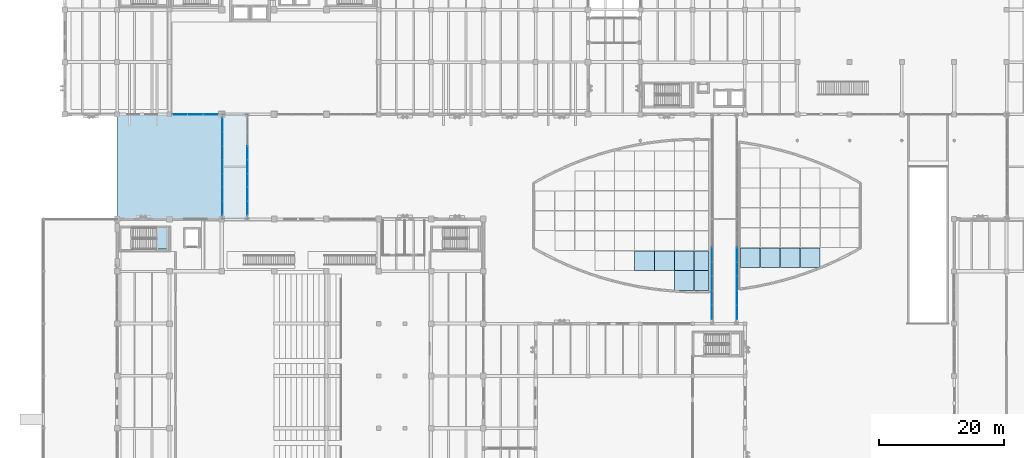
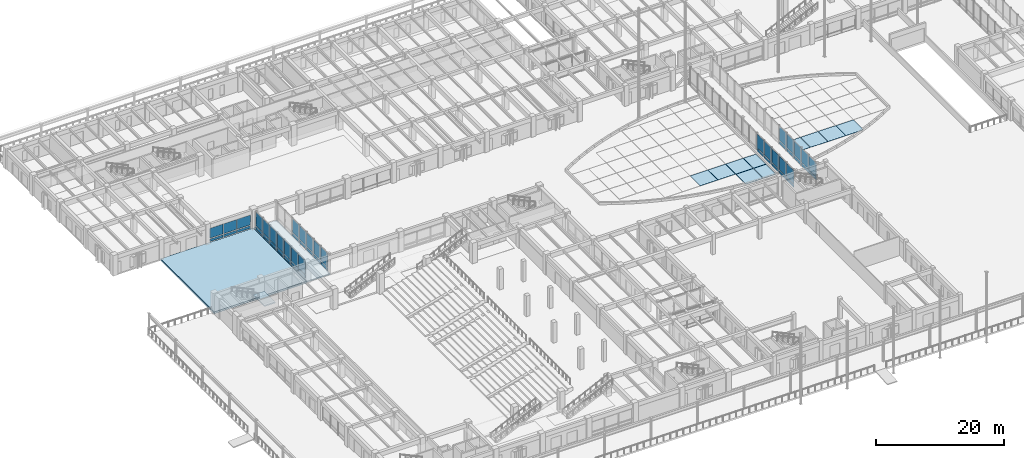
# One storey, part 66 of 135: 60 plates, 3 slabs, 6 elements without a shape of their own.
"""IFC4 building model written with IfcOpenShell, lengths in metres."""

from ifc_helpers import new_model, si_unit, direction, frame, origin, origin_2d, place, context, subcontext, project, spatial, polyline, rectangle, outline, extrude, material, layer, layer_set, type_object, element, aggregate, save


model = new_model("IFC4")

# Units and contexts
model_context = context("Model", 3, precision=1e-05, world=origin(), true_north=direction((0.0, 1.0)))
body_context = subcontext(model_context, "Body", "Model", "MODEL_VIEW")
ifc_project = project(units=[si_unit("LENGTHUNIT", "METRE"), si_unit("AREAUNIT", "SQUARE_METRE"), si_unit("VOLUMEUNIT", "CUBIC_METRE"), si_unit("PLANEANGLEUNIT", "RADIAN"), si_unit("MASSUNIT", "GRAM", prefix="KILO")], contexts=[model_context])

# Site, building, storey
site_placement = place(None, origin())
site = spatial("IfcSite", under=ifc_project, at=site_placement, CompositionType="ELEMENT")
building_placement = place(site_placement, origin())
building = spatial("IfcBuilding", under=site, at=building_placement, Name="Cumbredor Promenade Congress Hotel", CompositionType="ELEMENT")
storey_placement = place(building_placement, origin())
storey = spatial("IfcBuildingStorey", under=building, at=storey_placement, Name="L00", CompositionType="ELEMENT", Elevation=0.0)

# Stair, slab
ifc_material_1 = material(Name="Concrete C40/50", Category="concrete")
stair_type = type_object("IfcStairType", Name="Protected Dog-Leg Exit Stair ST-T3 1650mm", PredefinedType="HALF_TURN_STAIR", material=ifc_material_1)
stair_placement = place(storey_placement, origin())
stair = element("IfcStair", 1, at=stair_placement, inside=storey, type_object=stair_type, Name="L00 Protected Exit Stair ST-06", PredefinedType="HALF_TURN_STAIR")
ifc_layer_1 = layer(ifc_material_1, 0.199951171875, Name="Concrete C40/50", Category="concrete")
ifc_layer_set_1 = layer_set([ifc_layer_1], Name="Concrete C40/50")
slab_type_1 = type_object("IfcSlabType", Name="Concrete Stair Landing Slab 200mm", PredefinedType="LANDING", material=ifc_layer_set_1)
slab_1_placement = place(storey_placement, frame((0.0, 0.0, 1.760009765625)))
slab_1 = element("IfcSlab", 2, at=slab_1_placement, type_object=slab_type_1, Name="ST-06 landing 1", PredefinedType="LANDING", context=body_context, shape_type="SweptSolid", body=[
    extrude(outline(polyline([(14.64990234375, 62.35009765625), (16.64990234375, 62.35009765625), (16.64990234375, 65.800048828125), (14.64990234375, 65.800048828125), (14.64990234375, 62.35009765625)])), origin(), (0.0, 0.0, 1.0), 0.199951171875),
])
aggregate(stair, [slab_1])

# Curtain wall, plates
ifc_material_2 = material(Name="Thermally broken anodized aluminium and low-E glass", Category="aluminium")
curtain_wall_type_1 = type_object("IfcCurtainWallType", Name="Unitised Bridge Glazing Screen CW-05", PredefinedType="NOTDEFINED", material=ifc_material_2)
curtain_wall_1_placement = place(storey_placement, origin())
curtain_wall_1 = element("IfcCurtainWall", 3, at=curtain_wall_1_placement, inside=storey, type_object=curtain_wall_type_1, Name="L00 West Congress-to-Hotel Glazed Bridge West Glazing Screen", PredefinedType="NOTDEFINED")
ifc_material_3 = material(Name="Laminated low-E solar-control glass", Category="glass")
ifc_layer_2 = layer(ifc_material_3, 0.030029296875, Name="Laminated low-E solar-control glass", Category="glass")
ifc_layer_set_2 = layer_set([ifc_layer_2], Name="Laminated low-E solar-control glass")
plate_type_1 = type_object("IfcPlateType", Name="Glazed Bridge Panel PNL-04", PredefinedType="CURTAIN_PANEL", material=ifc_layer_set_2)
plate_1_placement = place(storey_placement, frame((25.280029296875, 68.9658203125, 0.78515625), z_axis=(0.0, 0.0, 1.0), x_axis=(0.0, 1.0, 0.0)))
plate_1 = element("IfcPlate", 4, at=plate_1_placement, type_object=plate_type_1, Name="L00 West Congress-to-Hotel Glazed Bridge West Glazing Screen Glazing Panel 1.2", PredefinedType="CURTAIN_PANEL", context=body_context, shape_type="SweptSolid", body=[
    extrude(rectangle(XDim=2.146484375, YDim=0.030029296875, at=origin_2d()), origin(), (0.0, 0.0, 1.0), 2.6298828125),
])
plate_2_placement = place(storey_placement, frame((25.280029296875, 71.177001953125, 0.78515625), z_axis=(0.0, 0.0, 1.0), x_axis=(0.0, 1.0, 0.0)))
plate_2 = element("IfcPlate", 5, at=plate_2_placement, type_object=plate_type_1, Name="L00 West Congress-to-Hotel Glazed Bridge West Glazing Screen Glazing Panel 2.2", PredefinedType="CURTAIN_PANEL", context=body_context, shape_type="SweptSolid", body=[
    extrude(rectangle(XDim=2.146484375, YDim=0.030029296875, at=origin_2d()), origin(), (0.0, 0.0, 1.0), 2.6298828125),
])
plate_3_placement = place(storey_placement, frame((25.280029296875, 73.388671875, 0.78515625), z_axis=(0.0, 0.0, 1.0), x_axis=(0.0, 1.0, 0.0)))
plate_3 = element("IfcPlate", 6, at=plate_3_placement, type_object=plate_type_1, Name="L00 West Congress-to-Hotel Glazed Bridge West Glazing Screen Glazing Panel 3.2", PredefinedType="CURTAIN_PANEL", context=body_context, shape_type="SweptSolid", body=[
    extrude(rectangle(XDim=2.146484375, YDim=0.030029296875, at=origin_2d()), origin(), (0.0, 0.0, 1.0), 2.6298828125),
])
plate_4_placement = place(storey_placement, frame((25.280029296875, 75.60009765625, 0.78515625), z_axis=(0.0, 0.0, 1.0), x_axis=(0.0, 1.0, 0.0)))
plate_4 = element("IfcPlate", 7, at=plate_4_placement, type_object=plate_type_1, Name="L00 West Congress-to-Hotel Glazed Bridge West Glazing Screen Glazing Panel 4.2", PredefinedType="CURTAIN_PANEL", context=body_context, shape_type="SweptSolid", body=[
    extrude(rectangle(XDim=2.146484375, YDim=0.030029296875, at=origin_2d()), origin(), (0.0, 0.0, 1.0), 2.6298828125),
])
plate_5_placement = place(storey_placement, frame((25.280029296875, 77.811279296875, 0.78515625), z_axis=(0.0, 0.0, 1.0), x_axis=(0.0, 1.0, 0.0)))
plate_5 = element("IfcPlate", 8, at=plate_5_placement, type_object=plate_type_1, Name="L00 West Congress-to-Hotel Glazed Bridge West Glazing Screen Glazing Panel 5.2", PredefinedType="CURTAIN_PANEL", context=body_context, shape_type="SweptSolid", body=[
    extrude(rectangle(XDim=2.146484375, YDim=0.030029296875, at=origin_2d()), origin(), (0.0, 0.0, 1.0), 2.6298828125),
])
plate_6_placement = place(storey_placement, frame((25.280029296875, 80.02294921875, 0.78515625), z_axis=(0.0, 0.0, 1.0), x_axis=(0.0, 1.0, 0.0)))
plate_6 = element("IfcPlate", 9, at=plate_6_placement, type_object=plate_type_1, Name="L00 West Congress-to-Hotel Glazed Bridge West Glazing Screen Glazing Panel 6.2", PredefinedType="CURTAIN_PANEL", context=body_context, shape_type="SweptSolid", body=[
    extrude(rectangle(XDim=2.146484375, YDim=0.030029296875, at=origin_2d()), origin(), (0.0, 0.0, 1.0), 2.6298828125),
])
plate_7_placement = place(storey_placement, frame((25.280029296875, 82.234375, 0.78515625), z_axis=(0.0, 0.0, 1.0), x_axis=(0.0, 1.0, 0.0)))
plate_7 = element("IfcPlate", 10, at=plate_7_placement, type_object=plate_type_1, Name="L00 West Congress-to-Hotel Glazed Bridge West Glazing Screen Glazing Panel 7.2", PredefinedType="CURTAIN_PANEL", context=body_context, shape_type="SweptSolid", body=[
    extrude(rectangle(XDim=2.146484375, YDim=0.030029296875, at=origin_2d()), origin(), (0.0, 0.0, 1.0), 2.6298828125),
])

curtain_wall_2_placement = place(storey_placement, origin())
curtain_wall_2 = element("IfcCurtainWall", 11, at=curtain_wall_2_placement, inside=storey, type_object=curtain_wall_type_1, Name="L00 West Congress-to-Hotel Glazed Bridge East Glazing Screen", PredefinedType="NOTDEFINED")
plate_8_placement = place(storey_placement, frame((29.320068359375, 68.9658203125, 0.78515625), z_axis=(0.0, 0.0, 1.0), x_axis=(0.0, 1.0, 0.0)))
plate_8 = element("IfcPlate", 12, at=plate_8_placement, type_object=plate_type_1, Name="L00 West Congress-to-Hotel Glazed Bridge East Glazing Screen Glazing Panel 1.2", PredefinedType="CURTAIN_PANEL", context=body_context, shape_type="SweptSolid", body=[
    extrude(rectangle(XDim=2.146484375, YDim=0.030029296875, at=origin_2d()), origin(), (0.0, 0.0, 1.0), 2.6298828125),
])
plate_9_placement = place(storey_placement, frame((29.320068359375, 71.177001953125, 0.78515625), z_axis=(0.0, 0.0, 1.0), x_axis=(0.0, 1.0, 0.0)))
plate_9 = element("IfcPlate", 13, at=plate_9_placement, type_object=plate_type_1, Name="L00 West Congress-to-Hotel Glazed Bridge East Glazing Screen Glazing Panel 2.2", PredefinedType="CURTAIN_PANEL", context=body_context, shape_type="SweptSolid", body=[
    extrude(rectangle(XDim=2.146484375, YDim=0.030029296875, at=origin_2d()), origin(), (0.0, 0.0, 1.0), 2.6298828125),
])
plate_10_placement = place(storey_placement, frame((29.320068359375, 73.388671875, 0.78515625), z_axis=(0.0, 0.0, 1.0), x_axis=(0.0, 1.0, 0.0)))
plate_10 = element("IfcPlate", 14, at=plate_10_placement, type_object=plate_type_1, Name="L00 West Congress-to-Hotel Glazed Bridge East Glazing Screen Glazing Panel 3.2", PredefinedType="CURTAIN_PANEL", context=body_context, shape_type="SweptSolid", body=[
    extrude(rectangle(XDim=2.146484375, YDim=0.030029296875, at=origin_2d()), origin(), (0.0, 0.0, 1.0), 2.6298828125),
])
plate_11_placement = place(storey_placement, frame((29.320068359375, 75.60009765625, 0.78515625), z_axis=(0.0, 0.0, 1.0), x_axis=(0.0, 1.0, 0.0)))
plate_11 = element("IfcPlate", 15, at=plate_11_placement, type_object=plate_type_1, Name="L00 West Congress-to-Hotel Glazed Bridge East Glazing Screen Glazing Panel 4.2", PredefinedType="CURTAIN_PANEL", context=body_context, shape_type="SweptSolid", body=[
    extrude(rectangle(XDim=2.146484375, YDim=0.030029296875, at=origin_2d()), origin(), (0.0, 0.0, 1.0), 2.6298828125),
])
plate_12_placement = place(storey_placement, frame((29.320068359375, 77.811279296875, 0.78515625), z_axis=(0.0, 0.0, 1.0), x_axis=(0.0, 1.0, 0.0)))
plate_12 = element("IfcPlate", 16, at=plate_12_placement, type_object=plate_type_1, Name="L00 West Congress-to-Hotel Glazed Bridge East Glazing Screen Glazing Panel 5.2", PredefinedType="CURTAIN_PANEL", context=body_context, shape_type="SweptSolid", body=[
    extrude(rectangle(XDim=2.146484375, YDim=0.030029296875, at=origin_2d()), origin(), (0.0, 0.0, 1.0), 2.6298828125),
])

curtain_wall_3_placement = place(storey_placement, origin())
curtain_wall_3 = element("IfcCurtainWall", 17, at=curtain_wall_3_placement, inside=storey, type_object=curtain_wall_type_1, Name="L00 Central Reflecting-Pool Promenade Bridge West Glazing Screen", PredefinedType="NOTDEFINED")
plate_13_placement = place(storey_placement, frame((103.8798828125, 52.212890625, 0.78515625), z_axis=(0.0, 0.0, 1.0), x_axis=(0.0, 1.0, 0.0)))
plate_13 = element("IfcPlate", 18, at=plate_13_placement, type_object=plate_type_1, Name="L00 Central Reflecting-Pool Promenade Bridge West Glazing Screen Glazing Panel 1.2", PredefinedType="CURTAIN_PANEL", context=body_context, shape_type="SweptSolid", body=[
    extrude(rectangle(XDim=2.24072265625, YDim=0.030029296875, at=origin_2d()), origin(), (0.0, 0.0, 1.0), 2.6298828125),
])
plate_14_placement = place(storey_placement, frame((103.8798828125, 54.5185546875, 0.78515625), z_axis=(0.0, 0.0, 1.0), x_axis=(0.0, 1.0, 0.0)))
plate_14 = element("IfcPlate", 19, at=plate_14_placement, type_object=plate_type_1, Name="L00 Central Reflecting-Pool Promenade Bridge West Glazing Screen Glazing Panel 2.2", PredefinedType="CURTAIN_PANEL", context=body_context, shape_type="SweptSolid", body=[
    extrude(rectangle(XDim=2.24072265625, YDim=0.030029296875, at=origin_2d()), origin(), (0.0, 0.0, 1.0), 2.6298828125),
])
plate_15_placement = place(storey_placement, frame((103.8798828125, 56.82421875, 0.78515625), z_axis=(0.0, 0.0, 1.0), x_axis=(0.0, 1.0, 0.0)))
plate_15 = element("IfcPlate", 20, at=plate_15_placement, type_object=plate_type_1, Name="L00 Central Reflecting-Pool Promenade Bridge West Glazing Screen Glazing Panel 3.2", PredefinedType="CURTAIN_PANEL", context=body_context, shape_type="SweptSolid", body=[
    extrude(rectangle(XDim=2.24072265625, YDim=0.030029296875, at=origin_2d()), origin(), (0.0, 0.0, 1.0), 2.6298828125),
])
plate_16_placement = place(storey_placement, frame((103.8798828125, 59.1298828125, 0.78515625), z_axis=(0.0, 0.0, 1.0), x_axis=(0.0, 1.0, 0.0)))
plate_16 = element("IfcPlate", 21, at=plate_16_placement, type_object=plate_type_1, Name="L00 Central Reflecting-Pool Promenade Bridge West Glazing Screen Glazing Panel 4.2", PredefinedType="CURTAIN_PANEL", context=body_context, shape_type="SweptSolid", body=[
    extrude(rectangle(XDim=2.24072265625, YDim=0.030029296875, at=origin_2d()), origin(), (0.0, 0.0, 1.0), 2.6298828125),
])
plate_17_placement = place(storey_placement, frame((103.8798828125, 61.435791015625, 0.78515625), z_axis=(0.0, 0.0, 1.0), x_axis=(0.0, 1.0, 0.0)))
plate_17 = element("IfcPlate", 22, at=plate_17_placement, type_object=plate_type_1, Name="L00 Central Reflecting-Pool Promenade Bridge West Glazing Screen Glazing Panel 5.2", PredefinedType="CURTAIN_PANEL", context=body_context, shape_type="SweptSolid", body=[
    extrude(rectangle(XDim=2.24072265625, YDim=0.030029296875, at=origin_2d()), origin(), (0.0, 0.0, 1.0), 2.6298828125),
])

curtain_wall_4_placement = place(storey_placement, origin())
curtain_wall_4 = element("IfcCurtainWall", 23, at=curtain_wall_4_placement, inside=storey, type_object=curtain_wall_type_1, Name="L00 Central Reflecting-Pool Promenade Bridge East Glazing Screen", PredefinedType="NOTDEFINED")
plate_18_placement = place(storey_placement, frame((107.919921875, 52.212890625, 0.78515625), z_axis=(0.0, 0.0, 1.0), x_axis=(0.0, 1.0, 0.0)))
plate_18 = element("IfcPlate", 24, at=plate_18_placement, type_object=plate_type_1, Name="L00 Central Reflecting-Pool Promenade Bridge East Glazing Screen Glazing Panel 1.2", PredefinedType="CURTAIN_PANEL", context=body_context, shape_type="SweptSolid", body=[
    extrude(rectangle(XDim=2.24072265625, YDim=0.030029296875, at=origin_2d()), origin(), (0.0, 0.0, 1.0), 2.6298828125),
])
plate_19_placement = place(storey_placement, frame((107.919921875, 54.5185546875, 0.78515625), z_axis=(0.0, 0.0, 1.0), x_axis=(0.0, 1.0, 0.0)))
plate_19 = element("IfcPlate", 25, at=plate_19_placement, type_object=plate_type_1, Name="L00 Central Reflecting-Pool Promenade Bridge East Glazing Screen Glazing Panel 2.2", PredefinedType="CURTAIN_PANEL", context=body_context, shape_type="SweptSolid", body=[
    extrude(rectangle(XDim=2.24072265625, YDim=0.030029296875, at=origin_2d()), origin(), (0.0, 0.0, 1.0), 2.6298828125),
])
plate_20_placement = place(storey_placement, frame((107.919921875, 56.82421875, 0.78515625), z_axis=(0.0, 0.0, 1.0), x_axis=(0.0, 1.0, 0.0)))
plate_20 = element("IfcPlate", 26, at=plate_20_placement, type_object=plate_type_1, Name="L00 Central Reflecting-Pool Promenade Bridge East Glazing Screen Glazing Panel 3.2", PredefinedType="CURTAIN_PANEL", context=body_context, shape_type="SweptSolid", body=[
    extrude(rectangle(XDim=2.24072265625, YDim=0.030029296875, at=origin_2d()), origin(), (0.0, 0.0, 1.0), 2.6298828125),
])
plate_21_placement = place(storey_placement, frame((107.919921875, 59.1298828125, 0.78515625), z_axis=(0.0, 0.0, 1.0), x_axis=(0.0, 1.0, 0.0)))
plate_21 = element("IfcPlate", 27, at=plate_21_placement, type_object=plate_type_1, Name="L00 Central Reflecting-Pool Promenade Bridge East Glazing Screen Glazing Panel 4.2", PredefinedType="CURTAIN_PANEL", context=body_context, shape_type="SweptSolid", body=[
    extrude(rectangle(XDim=2.24072265625, YDim=0.030029296875, at=origin_2d()), origin(), (0.0, 0.0, 1.0), 2.6298828125),
])
plate_22_placement = place(storey_placement, frame((107.919921875, 61.435791015625, 0.78515625), z_axis=(0.0, 0.0, 1.0), x_axis=(0.0, 1.0, 0.0)))
plate_22 = element("IfcPlate", 28, at=plate_22_placement, type_object=plate_type_1, Name="L00 Central Reflecting-Pool Promenade Bridge East Glazing Screen Glazing Panel 5.2", PredefinedType="CURTAIN_PANEL", context=body_context, shape_type="SweptSolid", body=[
    extrude(rectangle(XDim=2.24072265625, YDim=0.030029296875, at=origin_2d()), origin(), (0.0, 0.0, 1.0), 2.6298828125),
])

curtain_wall_type_2 = type_object("IfcCurtainWallType", Name="Unitised Grand Foyer Curtain Wall CW-04", PredefinedType="NOTDEFINED", material=ifc_material_2)
curtain_wall_5_placement = place(storey_placement, origin())
curtain_wall_5 = element("IfcCurtainWall", 29, at=curtain_wall_5_placement, inside=storey, type_object=curtain_wall_type_2, Name="L00 Stepped Congress Hotel Wing South Curtain Wall 3", PredefinedType="NOTDEFINED")
ifc_layer_3 = layer(ifc_material_3, 0.031982421875, Name="Laminated low-E solar-control glass", Category="glass")
ifc_layer_set_3 = layer_set([ifc_layer_3], Name="Laminated low-E solar-control glass")
plate_type_2 = type_object("IfcPlateType", Name="Glazed Vision Panel PNL-02", PredefinedType="CURTAIN_PANEL", material=ifc_layer_set_3)
plate_23_placement = place(storey_placement, frame((18.48681640625, 84.0, 0.795166015625), z_axis=(0.0, 0.0, 1.0), x_axis=(1.0, 0.0, 0.0)))
plate_23 = element("IfcPlate", 30, at=plate_23_placement, type_object=plate_type_2, Name="L00 Stepped Congress Hotel Wing South Curtain Wall 3 Glazing Panel 1.2", PredefinedType="CURTAIN_PANEL", context=body_context, shape_type="SweptSolid", body=[
    extrude(rectangle(XDim=2.38818359375, YDim=0.031982421875, at=origin_2d()), origin(), (0.0, 0.0, 1.0), 1.8798828125),
])
plate_24_placement = place(storey_placement, frame((20.949951171875, 84.0, 0.795166015625), z_axis=(0.0, 0.0, 1.0), x_axis=(1.0, 0.0, 0.0)))
plate_24 = element("IfcPlate", 31, at=plate_24_placement, type_object=plate_type_2, Name="L00 Stepped Congress Hotel Wing South Curtain Wall 3 Glazing Panel 2.2", PredefinedType="CURTAIN_PANEL", context=body_context, shape_type="SweptSolid", body=[
    extrude(rectangle(XDim=2.388427734375, YDim=0.031982421875, at=origin_2d()), origin(), (0.0, 0.0, 1.0), 1.8798828125),
])
plate_25_placement = place(storey_placement, frame((23.413330078125, 84.0, 0.795166015625), z_axis=(0.0, 0.0, 1.0), x_axis=(1.0, 0.0, 0.0)))
plate_25 = element("IfcPlate", 32, at=plate_25_placement, type_object=plate_type_2, Name="L00 Stepped Congress Hotel Wing South Curtain Wall 3 Glazing Panel 3.2", PredefinedType="CURTAIN_PANEL", context=body_context, shape_type="SweptSolid", body=[
    extrude(rectangle(XDim=2.38818359375, YDim=0.031982421875, at=origin_2d()), origin(), (0.0, 0.0, 1.0), 1.8798828125),
])
ifc_material_4 = material(Name="Thermally broken anodized aluminium", Category="aluminium")
ifc_layer_4 = layer(ifc_material_4, 0.0400390625, Name="Thermally broken anodized aluminium", Category="aluminium")
ifc_layer_set_4 = layer_set([ifc_layer_4], Name="Thermally broken anodized aluminium")
plate_type_3 = type_object("IfcPlateType", Name="Insulated Spandrel Panel PNL-06", PredefinedType="CURTAIN_PANEL", material=ifc_layer_set_4)
plate_26_placement = place(storey_placement, frame((18.48681640625, 84.0, 0.14501953125), z_axis=(0.0, 0.0, 1.0), x_axis=(1.0, 0.0, 0.0)))
plate_26 = element("IfcPlate", 33, at=plate_26_placement, type_object=plate_type_3, Name="L00 Stepped Congress Hotel Wing South Curtain Wall 3 Spandrel Panel 1.1", PredefinedType="CURTAIN_PANEL", context=body_context, shape_type="SweptSolid", body=[
    extrude(rectangle(XDim=2.38818359375, YDim=0.0400390625, at=origin_2d()), origin(), (0.0, 0.0, 1.0), 0.5),
])
plate_27_placement = place(storey_placement, frame((20.949951171875, 84.0, 0.14501953125), z_axis=(0.0, 0.0, 1.0), x_axis=(1.0, 0.0, 0.0)))
plate_27 = element("IfcPlate", 34, at=plate_27_placement, type_object=plate_type_3, Name="L00 Stepped Congress Hotel Wing South Curtain Wall 3 Spandrel Panel 2.1", PredefinedType="CURTAIN_PANEL", context=body_context, shape_type="SweptSolid", body=[
    extrude(rectangle(XDim=2.388427734375, YDim=0.0400390625, at=origin_2d()), origin(), (0.0, 0.0, 1.0), 0.5),
])
plate_28_placement = place(storey_placement, frame((23.413330078125, 84.0, 0.14501953125), z_axis=(0.0, 0.0, 1.0), x_axis=(1.0, 0.0, 0.0)))
plate_28 = element("IfcPlate", 35, at=plate_28_placement, type_object=plate_type_3, Name="L00 Stepped Congress Hotel Wing South Curtain Wall 3 Spandrel Panel 3.1", PredefinedType="CURTAIN_PANEL", context=body_context, shape_type="SweptSolid", body=[
    extrude(rectangle(XDim=2.38818359375, YDim=0.0400390625, at=origin_2d()), origin(), (0.0, 0.0, 1.0), 0.5),
])
aggregate(curtain_wall_5, [plate_26, plate_23, plate_27, plate_24, plate_28, plate_25])

# Plate
plate_29_placement = place(storey_placement, frame((25.280029296875, 68.9658203125, 0.135009765625), z_axis=(0.0, 0.0, 1.0), x_axis=(0.0, 1.0, 0.0)))
plate_29 = element("IfcPlate", 36, at=plate_29_placement, type_object=plate_type_3, Name="L00 West Congress-to-Hotel Glazed Bridge West Glazing Screen Spandrel Panel 1.1", PredefinedType="CURTAIN_PANEL", context=body_context, shape_type="SweptSolid", body=[
    extrude(rectangle(XDim=2.146484375, YDim=0.0400390625, at=origin_2d()), origin(), (0.0, 0.0, 1.0), 0.52001953125),
])

plate_30_placement = place(storey_placement, frame((25.280029296875, 71.177001953125, 0.135009765625), z_axis=(0.0, 0.0, 1.0), x_axis=(0.0, 1.0, 0.0)))
plate_30 = element("IfcPlate", 37, at=plate_30_placement, type_object=plate_type_3, Name="L00 West Congress-to-Hotel Glazed Bridge West Glazing Screen Spandrel Panel 2.1", PredefinedType="CURTAIN_PANEL", context=body_context, shape_type="SweptSolid", body=[
    extrude(rectangle(XDim=2.146484375, YDim=0.0400390625, at=origin_2d()), origin(), (0.0, 0.0, 1.0), 0.52001953125),
])

plate_31_placement = place(storey_placement, frame((25.280029296875, 73.388671875, 0.135009765625), z_axis=(0.0, 0.0, 1.0), x_axis=(0.0, 1.0, 0.0)))
plate_31 = element("IfcPlate", 38, at=plate_31_placement, type_object=plate_type_3, Name="L00 West Congress-to-Hotel Glazed Bridge West Glazing Screen Spandrel Panel 3.1", PredefinedType="CURTAIN_PANEL", context=body_context, shape_type="SweptSolid", body=[
    extrude(rectangle(XDim=2.146484375, YDim=0.0400390625, at=origin_2d()), origin(), (0.0, 0.0, 1.0), 0.52001953125),
])

plate_32_placement = place(storey_placement, frame((25.280029296875, 75.60009765625, 0.135009765625), z_axis=(0.0, 0.0, 1.0), x_axis=(0.0, 1.0, 0.0)))
plate_32 = element("IfcPlate", 39, at=plate_32_placement, type_object=plate_type_3, Name="L00 West Congress-to-Hotel Glazed Bridge West Glazing Screen Spandrel Panel 4.1", PredefinedType="CURTAIN_PANEL", context=body_context, shape_type="SweptSolid", body=[
    extrude(rectangle(XDim=2.146484375, YDim=0.0400390625, at=origin_2d()), origin(), (0.0, 0.0, 1.0), 0.52001953125),
])

plate_33_placement = place(storey_placement, frame((25.280029296875, 77.811279296875, 0.135009765625), z_axis=(0.0, 0.0, 1.0), x_axis=(0.0, 1.0, 0.0)))
plate_33 = element("IfcPlate", 40, at=plate_33_placement, type_object=plate_type_3, Name="L00 West Congress-to-Hotel Glazed Bridge West Glazing Screen Spandrel Panel 5.1", PredefinedType="CURTAIN_PANEL", context=body_context, shape_type="SweptSolid", body=[
    extrude(rectangle(XDim=2.146484375, YDim=0.0400390625, at=origin_2d()), origin(), (0.0, 0.0, 1.0), 0.52001953125),
])

plate_34_placement = place(storey_placement, frame((25.280029296875, 80.02294921875, 0.135009765625), z_axis=(0.0, 0.0, 1.0), x_axis=(0.0, 1.0, 0.0)))
plate_34 = element("IfcPlate", 41, at=plate_34_placement, type_object=plate_type_3, Name="L00 West Congress-to-Hotel Glazed Bridge West Glazing Screen Spandrel Panel 6.1", PredefinedType="CURTAIN_PANEL", context=body_context, shape_type="SweptSolid", body=[
    extrude(rectangle(XDim=2.146484375, YDim=0.0400390625, at=origin_2d()), origin(), (0.0, 0.0, 1.0), 0.52001953125),
])

plate_35_placement = place(storey_placement, frame((25.280029296875, 82.234375, 0.135009765625), z_axis=(0.0, 0.0, 1.0), x_axis=(0.0, 1.0, 0.0)))
plate_35 = element("IfcPlate", 42, at=plate_35_placement, type_object=plate_type_3, Name="L00 West Congress-to-Hotel Glazed Bridge West Glazing Screen Spandrel Panel 7.1", PredefinedType="CURTAIN_PANEL", context=body_context, shape_type="SweptSolid", body=[
    extrude(rectangle(XDim=2.146484375, YDim=0.0400390625, at=origin_2d()), origin(), (0.0, 0.0, 1.0), 0.52001953125),
])

aggregate(curtain_wall_1, [plate_29, plate_1, plate_30, plate_2, plate_31, plate_3, plate_32, plate_4, plate_33, plate_5, plate_34, plate_6, plate_35, plate_7])

plate_36_placement = place(storey_placement, frame((29.320068359375, 68.9658203125, 0.135009765625), z_axis=(0.0, 0.0, 1.0), x_axis=(0.0, 1.0, 0.0)))
plate_36 = element("IfcPlate", 43, at=plate_36_placement, type_object=plate_type_3, Name="L00 West Congress-to-Hotel Glazed Bridge East Glazing Screen Spandrel Panel 1.1", PredefinedType="CURTAIN_PANEL", context=body_context, shape_type="SweptSolid", body=[
    extrude(rectangle(XDim=2.146484375, YDim=0.0400390625, at=origin_2d()), origin(), (0.0, 0.0, 1.0), 0.52001953125),
])

plate_37_placement = place(storey_placement, frame((29.320068359375, 71.177001953125, 0.135009765625), z_axis=(0.0, 0.0, 1.0), x_axis=(0.0, 1.0, 0.0)))
plate_37 = element("IfcPlate", 44, at=plate_37_placement, type_object=plate_type_3, Name="L00 West Congress-to-Hotel Glazed Bridge East Glazing Screen Spandrel Panel 2.1", PredefinedType="CURTAIN_PANEL", context=body_context, shape_type="SweptSolid", body=[
    extrude(rectangle(XDim=2.146484375, YDim=0.0400390625, at=origin_2d()), origin(), (0.0, 0.0, 1.0), 0.52001953125),
])

plate_38_placement = place(storey_placement, frame((29.320068359375, 73.388671875, 0.135009765625), z_axis=(0.0, 0.0, 1.0), x_axis=(0.0, 1.0, 0.0)))
plate_38 = element("IfcPlate", 45, at=plate_38_placement, type_object=plate_type_3, Name="L00 West Congress-to-Hotel Glazed Bridge East Glazing Screen Spandrel Panel 3.1", PredefinedType="CURTAIN_PANEL", context=body_context, shape_type="SweptSolid", body=[
    extrude(rectangle(XDim=2.146484375, YDim=0.0400390625, at=origin_2d()), origin(), (0.0, 0.0, 1.0), 0.52001953125),
])

plate_39_placement = place(storey_placement, frame((29.320068359375, 75.60009765625, 0.135009765625), z_axis=(0.0, 0.0, 1.0), x_axis=(0.0, 1.0, 0.0)))
plate_39 = element("IfcPlate", 46, at=plate_39_placement, type_object=plate_type_3, Name="L00 West Congress-to-Hotel Glazed Bridge East Glazing Screen Spandrel Panel 4.1", PredefinedType="CURTAIN_PANEL", context=body_context, shape_type="SweptSolid", body=[
    extrude(rectangle(XDim=2.146484375, YDim=0.0400390625, at=origin_2d()), origin(), (0.0, 0.0, 1.0), 0.52001953125),
])

plate_40_placement = place(storey_placement, frame((29.320068359375, 77.811279296875, 0.135009765625), z_axis=(0.0, 0.0, 1.0), x_axis=(0.0, 1.0, 0.0)))
plate_40 = element("IfcPlate", 47, at=plate_40_placement, type_object=plate_type_3, Name="L00 West Congress-to-Hotel Glazed Bridge East Glazing Screen Spandrel Panel 5.1", PredefinedType="CURTAIN_PANEL", context=body_context, shape_type="SweptSolid", body=[
    extrude(rectangle(XDim=2.146484375, YDim=0.0400390625, at=origin_2d()), origin(), (0.0, 0.0, 1.0), 0.52001953125),
])

aggregate(curtain_wall_2, [plate_36, plate_8, plate_37, plate_9, plate_38, plate_10, plate_39, plate_11, plate_40, plate_12])

plate_41_placement = place(storey_placement, frame((103.8798828125, 52.212890625, 0.135009765625), z_axis=(0.0, 0.0, 1.0), x_axis=(0.0, 1.0, 0.0)))
plate_41 = element("IfcPlate", 48, at=plate_41_placement, type_object=plate_type_3, Name="L00 Central Reflecting-Pool Promenade Bridge West Glazing Screen Spandrel Panel 1.1", PredefinedType="CURTAIN_PANEL", context=body_context, shape_type="SweptSolid", body=[
    extrude(rectangle(XDim=2.24072265625, YDim=0.0400390625, at=origin_2d()), origin(), (0.0, 0.0, 1.0), 0.52001953125),
])

plate_42_placement = place(storey_placement, frame((103.8798828125, 54.5185546875, 0.135009765625), z_axis=(0.0, 0.0, 1.0), x_axis=(0.0, 1.0, 0.0)))
plate_42 = element("IfcPlate", 49, at=plate_42_placement, type_object=plate_type_3, Name="L00 Central Reflecting-Pool Promenade Bridge West Glazing Screen Spandrel Panel 2.1", PredefinedType="CURTAIN_PANEL", context=body_context, shape_type="SweptSolid", body=[
    extrude(rectangle(XDim=2.24072265625, YDim=0.0400390625, at=origin_2d()), origin(), (0.0, 0.0, 1.0), 0.52001953125),
])

plate_43_placement = place(storey_placement, frame((103.8798828125, 56.82421875, 0.135009765625), z_axis=(0.0, 0.0, 1.0), x_axis=(0.0, 1.0, 0.0)))
plate_43 = element("IfcPlate", 50, at=plate_43_placement, type_object=plate_type_3, Name="L00 Central Reflecting-Pool Promenade Bridge West Glazing Screen Spandrel Panel 3.1", PredefinedType="CURTAIN_PANEL", context=body_context, shape_type="SweptSolid", body=[
    extrude(rectangle(XDim=2.24072265625, YDim=0.0400390625, at=origin_2d()), origin(), (0.0, 0.0, 1.0), 0.52001953125),
])

plate_44_placement = place(storey_placement, frame((103.8798828125, 59.1298828125, 0.135009765625), z_axis=(0.0, 0.0, 1.0), x_axis=(0.0, 1.0, 0.0)))
plate_44 = element("IfcPlate", 51, at=plate_44_placement, type_object=plate_type_3, Name="L00 Central Reflecting-Pool Promenade Bridge West Glazing Screen Spandrel Panel 4.1", PredefinedType="CURTAIN_PANEL", context=body_context, shape_type="SweptSolid", body=[
    extrude(rectangle(XDim=2.24072265625, YDim=0.0400390625, at=origin_2d()), origin(), (0.0, 0.0, 1.0), 0.52001953125),
])

plate_45_placement = place(storey_placement, frame((103.8798828125, 61.435791015625, 0.135009765625), z_axis=(0.0, 0.0, 1.0), x_axis=(0.0, 1.0, 0.0)))
plate_45 = element("IfcPlate", 52, at=plate_45_placement, type_object=plate_type_3, Name="L00 Central Reflecting-Pool Promenade Bridge West Glazing Screen Spandrel Panel 5.1", PredefinedType="CURTAIN_PANEL", context=body_context, shape_type="SweptSolid", body=[
    extrude(rectangle(XDim=2.24072265625, YDim=0.0400390625, at=origin_2d()), origin(), (0.0, 0.0, 1.0), 0.52001953125),
])

aggregate(curtain_wall_3, [plate_41, plate_13, plate_42, plate_14, plate_43, plate_15, plate_44, plate_16, plate_45, plate_17])

plate_46_placement = place(storey_placement, frame((107.919921875, 52.212890625, 0.135009765625), z_axis=(0.0, 0.0, 1.0), x_axis=(0.0, 1.0, 0.0)))
plate_46 = element("IfcPlate", 53, at=plate_46_placement, type_object=plate_type_3, Name="L00 Central Reflecting-Pool Promenade Bridge East Glazing Screen Spandrel Panel 1.1", PredefinedType="CURTAIN_PANEL", context=body_context, shape_type="SweptSolid", body=[
    extrude(rectangle(XDim=2.24072265625, YDim=0.0400390625, at=origin_2d()), origin(), (0.0, 0.0, 1.0), 0.52001953125),
])

plate_47_placement = place(storey_placement, frame((107.919921875, 54.5185546875, 0.135009765625), z_axis=(0.0, 0.0, 1.0), x_axis=(0.0, 1.0, 0.0)))
plate_47 = element("IfcPlate", 54, at=plate_47_placement, type_object=plate_type_3, Name="L00 Central Reflecting-Pool Promenade Bridge East Glazing Screen Spandrel Panel 2.1", PredefinedType="CURTAIN_PANEL", context=body_context, shape_type="SweptSolid", body=[
    extrude(rectangle(XDim=2.24072265625, YDim=0.0400390625, at=origin_2d()), origin(), (0.0, 0.0, 1.0), 0.52001953125),
])

plate_48_placement = place(storey_placement, frame((107.919921875, 56.82421875, 0.135009765625), z_axis=(0.0, 0.0, 1.0), x_axis=(0.0, 1.0, 0.0)))
plate_48 = element("IfcPlate", 55, at=plate_48_placement, type_object=plate_type_3, Name="L00 Central Reflecting-Pool Promenade Bridge East Glazing Screen Spandrel Panel 3.1", PredefinedType="CURTAIN_PANEL", context=body_context, shape_type="SweptSolid", body=[
    extrude(rectangle(XDim=2.24072265625, YDim=0.0400390625, at=origin_2d()), origin(), (0.0, 0.0, 1.0), 0.52001953125),
])

plate_49_placement = place(storey_placement, frame((107.919921875, 59.1298828125, 0.135009765625), z_axis=(0.0, 0.0, 1.0), x_axis=(0.0, 1.0, 0.0)))
plate_49 = element("IfcPlate", 56, at=plate_49_placement, type_object=plate_type_3, Name="L00 Central Reflecting-Pool Promenade Bridge East Glazing Screen Spandrel Panel 4.1", PredefinedType="CURTAIN_PANEL", context=body_context, shape_type="SweptSolid", body=[
    extrude(rectangle(XDim=2.24072265625, YDim=0.0400390625, at=origin_2d()), origin(), (0.0, 0.0, 1.0), 0.52001953125),
])

plate_50_placement = place(storey_placement, frame((107.919921875, 61.435791015625, 0.135009765625), z_axis=(0.0, 0.0, 1.0), x_axis=(0.0, 1.0, 0.0)))
plate_50 = element("IfcPlate", 57, at=plate_50_placement, type_object=plate_type_3, Name="L00 Central Reflecting-Pool Promenade Bridge East Glazing Screen Spandrel Panel 5.1", PredefinedType="CURTAIN_PANEL", context=body_context, shape_type="SweptSolid", body=[
    extrude(rectangle(XDim=2.24072265625, YDim=0.0400390625, at=origin_2d()), origin(), (0.0, 0.0, 1.0), 0.52001953125),
])

aggregate(curtain_wall_4, [plate_46, plate_18, plate_47, plate_19, plate_48, plate_20, plate_49, plate_21, plate_50, plate_22])

# Slabs
ifc_layer_5 = layer(ifc_material_1, 0.219970703125, Name="Concrete C40/50", Category="concrete")
ifc_layer_set_5 = layer_set([ifc_layer_5], Name="Concrete C40/50")
slab_type_2 = type_object("IfcSlabType", Name="Link Bridge Deck Slab 220mm", PredefinedType="FLOOR", material=ifc_layer_set_5)
slab_2_placement = place(storey_placement, frame((0.0, 0.0, -0.219970703125)))
element("IfcSlab", 58, at=slab_2_placement, inside=storey, type_object=slab_type_2, Name="L00 West Congress-to-Hotel Glazed Bridge Floor Deck", PredefinedType="FLOOR", context=body_context, shape_type="SweptSolid", body=[
    extrude(outline(polyline([(25.199951171875, 67.199951171875), (29.39990234375, 67.199951171875), (29.39990234375, 74.800048828125), (29.050048828125, 74.800048828125), (29.050048828125, 76.39990234375), (29.39990234375, 76.39990234375), (29.39990234375, 84.0), (25.199951171875, 84.0), (25.199951171875, 67.199951171875)])), origin(), (0.0, 0.0, 1.0), 0.219970703125),
])
ifc_layer_6 = layer(ifc_material_1, 0.31005859375, Name="Concrete C40/50", Category="concrete")
ifc_layer_set_6 = layer_set([ifc_layer_6], Name="Concrete C40/50")
slab_type_3 = type_object("IfcSlabType", Name="Reflecting Pool Basin Slab 310mm", PredefinedType="FLOOR", material=ifc_layer_set_6)
slab_3_placement = place(storey_placement, frame((0.0, 0.0, -0.35009765625)))
element("IfcSlab", 59, at=slab_3_placement, inside=storey, type_object=slab_type_3, Name="L00 Central Reflecting-Pool Courtyard Plaza Slab 5", PredefinedType="FLOOR", context=body_context, shape_type="SweptSolid", body=[
    extrude(outline(polyline([(8.39990234375, 67.199951171875), (8.39990234375, 84.0), (25.1201171875, 84.0), (25.1201171875, 67.199951171875), (8.39990234375, 67.199951171875)])), origin(), (0.0, 0.0, 1.0), 0.35009765625),
])

# Plates
ifc_layer_7 = layer(ifc_material_3, 0.030029296875, Name="Laminated low-E solar-control glass", Category="glass")
ifc_layer_set_7 = layer_set([ifc_layer_7], Name="Laminated low-E solar-control glass")
plate_type_4 = type_object("IfcPlateType", Name="Reflecting Pool Water Mirror Panel WMP-01", PredefinedType="USERDEFINED", material=ifc_layer_set_7)
for number, where, z_axis, x_axis, name in (
    (60, (93.070068359375, 60.52001953125, 0.0), (0.0, 0.0, 1.0), (1.0, 0.0, 0.0), "Central Reflecting Pool Water Mirror 021"),
    (61, (96.27001953125, 60.52001953125, 0.0), (0.0, 0.0, 1.0), (1.0, 0.0, 0.0), "Central Reflecting Pool Water Mirror 027"),
    (62, (99.469970703125, 57.320068359375, 0.0), (0.0, 0.0, 1.0), (1.0, 0.0, 0.0), "Central Reflecting Pool Water Mirror 033"),
    (63, (99.469970703125, 60.52001953125, 0.0), (0.0, 0.0, 1.0), (1.0, 0.0, 0.0), "Central Reflecting Pool Water Mirror 034"),
):
    element("IfcPlate", number, at=place(storey_placement, frame(where, z_axis=z_axis, x_axis=x_axis)), inside=storey, type_object=plate_type_4, Name=name, ObjectType="WATER MIRROR PANEL", PredefinedType="USERDEFINED", context=body_context, shape_type="SweptSolid", body=[
        extrude(rectangle(XDim=3.159912109375, YDim=3.159912109375, at=origin_2d()), origin(), (0.0, 0.0, 1.0), 0.030029296875),
    ])
for number, where, z_axis, x_axis, name in (
    (64, (102.2099609375, 57.320068359375, 0.0), (0.0, 0.0, 1.0), (1.0, 0.0, 0.0), "Central Reflecting Pool Water Mirror 041"),
    (65, (102.2099609375, 60.52001953125, 0.0), (0.0, 0.0, 1.0), (1.0, 0.0, 0.0), "Central Reflecting Pool Water Mirror 042"),
):
    element("IfcPlate", number, at=place(storey_placement, frame(where, z_axis=z_axis, x_axis=x_axis)), inside=storey, type_object=plate_type_4, Name=name, ObjectType="WATER MIRROR PANEL", PredefinedType="USERDEFINED", context=body_context, shape_type="SweptSolid", body=[
        extrude(rectangle(XDim=2.239990234375, YDim=3.159912109375, at=origin_2d()), origin(), (0.0, 0.0, 1.0), 0.030029296875),
    ])
for number, where, z_axis, x_axis, name in (
    (66, (110.070068359375, 60.995849609375, 0.0), (0.0, 0.0, 1.0), (1.0, 0.0, 0.0), "Central Reflecting Pool Water Mirror 049"),
    (67, (113.27001953125, 60.995849609375, 0.0), (0.0, 0.0, 1.0), (1.0, 0.0, 0.0), "Central Reflecting Pool Water Mirror 055"),
    (68, (116.469970703125, 60.995849609375, 0.0), (0.0, 0.0, 1.0), (1.0, 0.0, 0.0), "Central Reflecting Pool Water Mirror 060"),
    (69, (119.669921875, 60.995849609375, 0.0), (0.0, 0.0, 1.0), (1.0, 0.0, 0.0), "Central Reflecting Pool Water Mirror 065"),
):
    element("IfcPlate", number, at=place(storey_placement, frame(where, z_axis=z_axis, x_axis=x_axis)), inside=storey, type_object=plate_type_4, Name=name, ObjectType="WATER MIRROR PANEL", PredefinedType="USERDEFINED", context=body_context, shape_type="SweptSolid", body=[
        extrude(rectangle(XDim=3.159912109375, YDim=3.159912109375, at=origin_2d()), origin(), (0.0, 0.0, 1.0), 0.030029296875),
    ])

save(model, "model.ifc")
